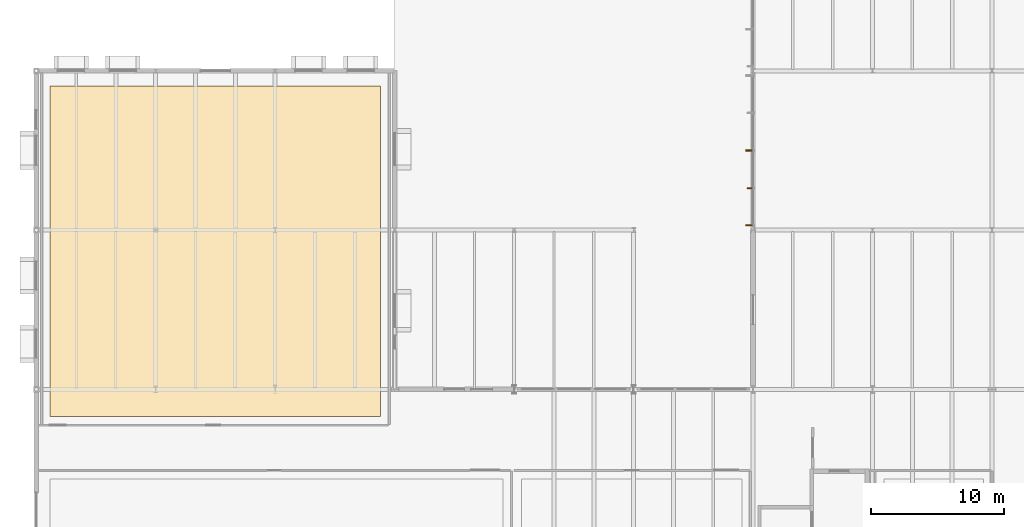
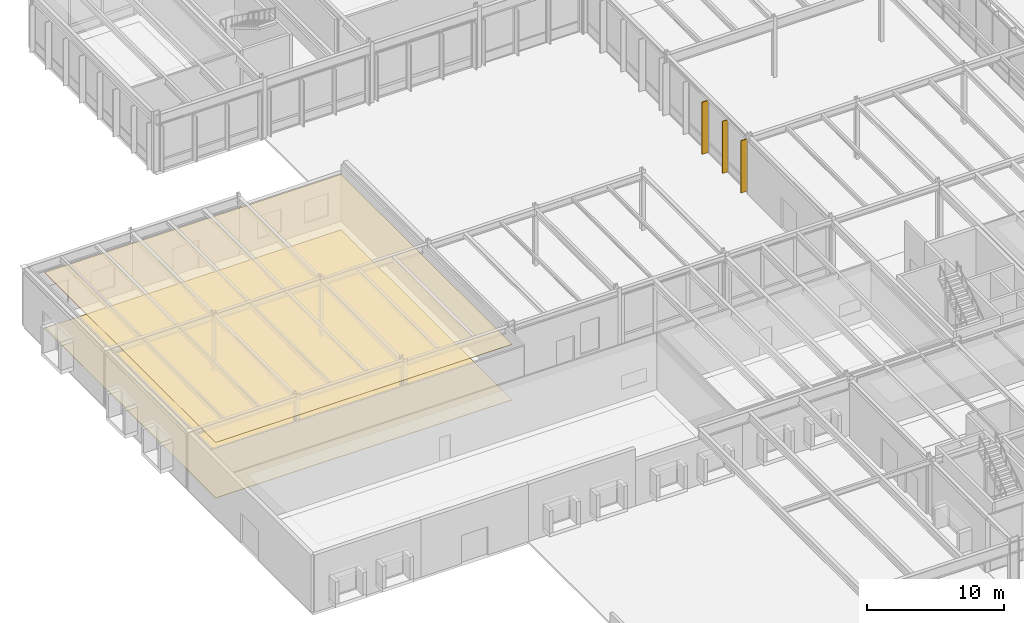
# One storey, part 134 of 143: 3 shading devices, 2 coverings.
"""IFC4 building model written with IfcOpenShell, lengths in metres."""

from ifc_helpers import new_model, si_unit, direction, frame, origin, origin_2d, place, context, subcontext, project, spatial, polyline, rectangle, outline, extrude, material, layer, layer_set, type_object, element, save


model = new_model("IFC4")

# Units and contexts
model_context = context("Model", 3, precision=1e-05, world=origin(), true_north=direction((0.0, 1.0)))
body_context = subcontext(model_context, "Body", "Model", "MODEL_VIEW")
ifc_project = project(units=[si_unit("LENGTHUNIT", "METRE"), si_unit("AREAUNIT", "SQUARE_METRE"), si_unit("VOLUMEUNIT", "CUBIC_METRE"), si_unit("PLANEANGLEUNIT", "RADIAN"), si_unit("MASSUNIT", "GRAM", prefix="KILO")], contexts=[model_context])

# Site, building, storey
site_placement = place(None, origin())
site = spatial("IfcSite", under=ifc_project, at=site_placement, CompositionType="ELEMENT")
building_placement = place(site_placement, origin())
building = spatial("IfcBuilding", under=site, at=building_placement, Name="Montelvaro Courts of Justice", CompositionType="ELEMENT")
storey_placement = place(building_placement, origin())
storey = spatial("IfcBuildingStorey", under=building, at=storey_placement, Name="L00", CompositionType="ELEMENT", Elevation=0.0)

# Coverings
ifc_material_1 = material(Name="Perforated acoustic gypsum ceiling")
ifc_layer_1 = layer(ifc_material_1, 0.0400390625)
ifc_layer_set_1 = layer_set([ifc_layer_1], Name="Perforated acoustic gypsum ceiling")
covering_type_1 = type_object("IfcCoveringType", Name="AcousticCeiling_Court", PredefinedType="CEILING", material=ifc_layer_set_1)
covering_1_placement = place(storey_placement, frame((0.0, 0.0, 4.919921875)))
element("IfcCovering", 1, at=covering_1_placement, inside=storey, type_object=covering_type_1, Name="Acoustic Ceiling Panel AC-01 (L00-31)", PredefinedType="CEILING", context=body_context, shape_type="SweptSolid", body=[
    extrude(outline(polyline([(25.949951171875, 39.949951171875), (1.050048828125, 39.949951171875), (1.050048828125, 64.85009765625), (25.949951171875, 64.85009765625), (25.949951171875, 39.949951171875)])), origin(), (0.0, 0.0, 1.0), 0.0400390625),
])
ifc_material_2 = material(Name="Alicante limestone judicial flooring", Category="masonry")
ifc_layer_2 = layer(ifc_material_2, 0.030029296875)
ifc_layer_set_2 = layer_set([ifc_layer_2], Name="Alicante limestone judicial flooring")
covering_type_2 = type_object("IfcCoveringType", Name="JudicialStoneFlooring", PredefinedType="FLOORING", material=ifc_layer_set_2)
covering_2_placement = place(storey_placement, origin())
element("IfcCovering", 2, at=covering_2_placement, inside=storey, type_object=covering_type_2, Name="Judicial Stone Flooring FLR-01 (L00-31)", PredefinedType="FLOORING", context=body_context, shape_type="SweptSolid", body=[
    extrude(outline(polyline([(25.949951171875, 39.949951171875), (1.050048828125, 39.949951171875), (1.050048828125, 64.85009765625), (25.949951171875, 64.85009765625), (25.949951171875, 39.949951171875)])), origin(), (0.0, 0.0, 1.0), 0.030029296875),
])

# Shading devices
ifc_material_3 = material(Name="Champagne anodised aluminium EN AW-6063", Category="aluminium")
ifc_layer_3 = layer(ifc_material_3, 0.080078125)
ifc_layer_set_3 = layer_set([ifc_layer_3], Name="Champagne anodised aluminium EN AW-6063")
shading_device_type_1 = type_object("IfcShadingDeviceType", Name="SolarFin_Champagne", PredefinedType="JALOUSIE", material=ifc_layer_set_3)
for number, where, z_axis, x_axis, name in (
    (3, (53.72509765625, 60.0, 0.050048828125), (0.0, 0.0, 1.0), (0.0, -1.0, 0.0), "Solar Brise-Soleil Fin SH-01 CW-068"),
    (4, (53.72509765625, 54.3525390625, 0.050048828125), (0.0, 0.0, 1.0), (0.0, -1.0, 0.0), "Solar Brise-Soleil Fin SH-01 CW-070"),
):
    element("IfcShadingDevice", number, at=place(storey_placement, frame(where, z_axis=z_axis, x_axis=x_axis)), inside=storey, type_object=shading_device_type_1, Name=name, PredefinedType="JALOUSIE", context=body_context, shape_type="SweptSolid", body=[
        extrude(rectangle(XDim=0.080078125, YDim=0.550048828125, at=origin_2d()), origin(), (0.0, 0.0, 1.0), 4.625),
    ])
ifc_layer_4 = layer(ifc_material_3, 0.070068359375)
ifc_layer_set_4 = layer_set([ifc_layer_4], Name="Champagne anodised aluminium EN AW-6063")
shading_device_type_2 = type_object("IfcShadingDeviceType", Name="SolarLouvre_Mediterranean", PredefinedType="SHUTTER", material=ifc_layer_set_4)
shading_device_placement = place(storey_placement, frame((53.77490234375, 57.157470703125, 0.050048828125), z_axis=(0.0, 0.0, 1.0), x_axis=(0.0, -1.0, 0.0)))
element("IfcShadingDevice", 5, at=shading_device_placement, inside=storey, type_object=shading_device_type_2, Name="Solar Brise-Soleil Fin SH-02 CW-069", PredefinedType="SHUTTER", context=body_context, shape_type="SweptSolid", body=[
    extrude(rectangle(XDim=0.070068359375, YDim=0.449951171875, at=origin_2d()), origin(), (0.0, 0.0, 1.0), 4.625),
])

save(model, "model.ifc")
